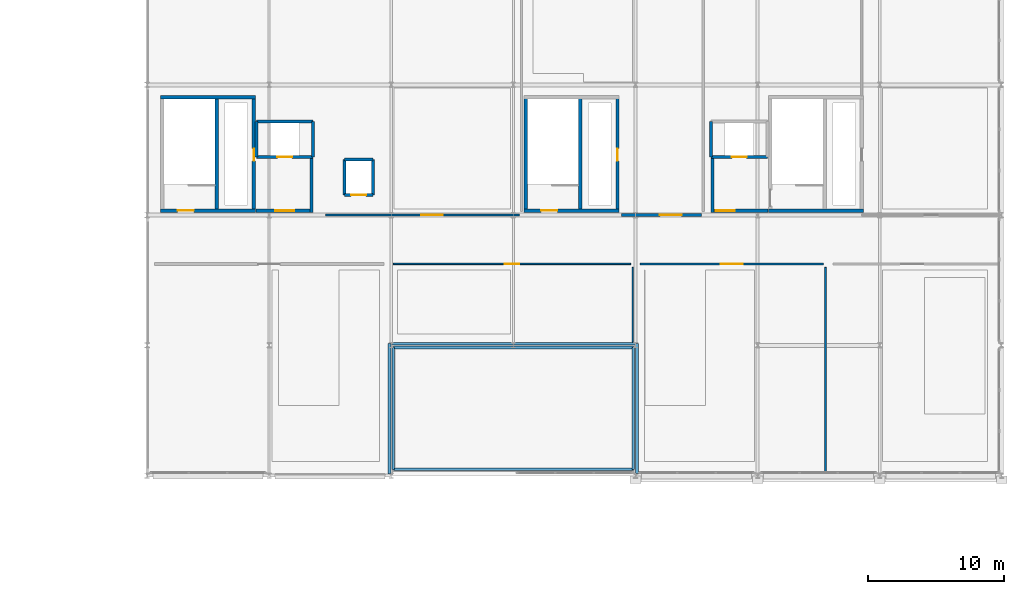
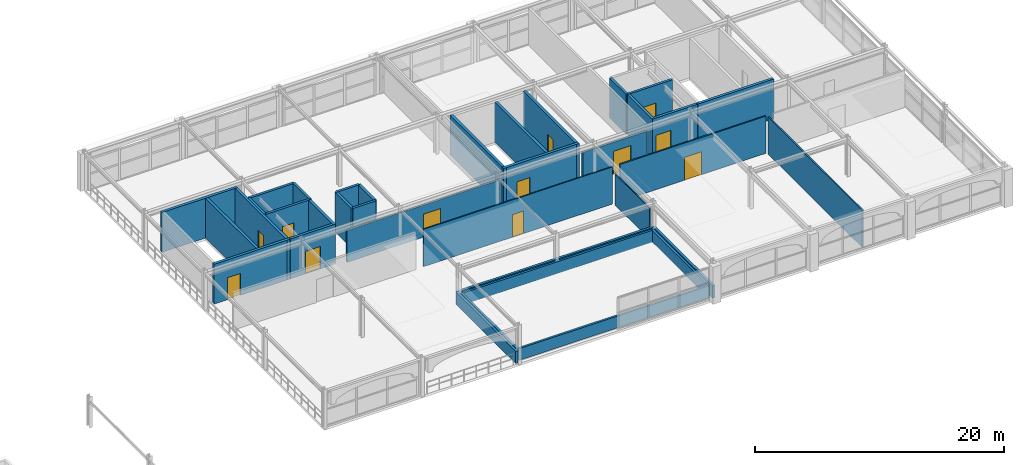
# One storey, part 21 of 25: 36 walls, 13 doors, 13 openings.
"""IFC4 building model written with IfcOpenShell, lengths in metres."""

from ifc_helpers import new_model, si_unit, direction, frame, frame_2d, origin, place, context, subcontext, project, spatial, rectangle, extrude, material, layer, layer_set, type_object, element, fill, save


model = new_model("IFC4")

# Units and contexts
model_context = context("Model", 3, precision=1e-05, world=origin(), true_north=direction((0.0, 1.0)))
body_context = subcontext(model_context, "Body", "Model", "MODEL_VIEW")
ifc_project = project(units=[si_unit("LENGTHUNIT", "METRE"), si_unit("AREAUNIT", "SQUARE_METRE"), si_unit("VOLUMEUNIT", "CUBIC_METRE"), si_unit("PLANEANGLEUNIT", "RADIAN"), si_unit("MASSUNIT", "GRAM", prefix="KILO")], contexts=[model_context])

# Site, building, storey
site_placement = place(None, origin())
site = spatial("IfcSite", under=ifc_project, at=site_placement, CompositionType="ELEMENT")
building_placement = place(site_placement, origin())
building = spatial("IfcBuilding", under=site, at=building_placement, Name="Myrtia Square Station", CompositionType="ELEMENT")
storey_placement = place(building_placement, frame((0.0, 0.0, 18.89990234375)))
storey = spatial("IfcBuildingStorey", under=building, at=storey_placement, Name="L04", CompositionType="ELEMENT", Elevation=18.89990234375)

# Wall, opening, door
ifc_material_1 = material(Name="Concrete C35/45", Category="concrete")
ifc_layer_1 = layer(ifc_material_1, 0.25, Name="Concrete C35/45")
ifc_layer_set_1 = layer_set([ifc_layer_1], Name="Concrete C35/45")
wall_type_1 = type_object("IfcWallType", Name="WL-CORE-250", PredefinedType="SHEAR", material=ifc_layer_set_1)
wall_1_placement = place(storey_placement, frame((127.0, 105.925048828125, 0.0), z_axis=(0.0, 0.0, 1.0), x_axis=(1.0, 0.0, 0.0)))
wall_1 = element("IfcWall", 1, at=wall_1_placement, inside=storey, type_object=wall_type_1, Name="Core K7 shear wall L04 S", PredefinedType="SHEAR", context=body_context, shape_type="SweptSolid", body=[
    extrude(rectangle(XDim=7.0, YDim=0.25, at=frame_2d((3.5, 0.0))), origin(), (0.0, 0.0, 1.0), 3.900146484375),
])
opening_1_placement = place(wall_1_placement, frame((1.25, 0.0, 0.0)))
opening_1 = element("IfcOpeningElement", 2, at=opening_1_placement, cuts=wall_1, Name="Opening SD-122", PredefinedType="OPENING", context=body_context, shape_type="SweptSolid", body=[
    extrude(rectangle(XDim=1.199951171875, YDim=2.14990234375, at=frame_2d((0.60009765625, 1.074951171875))), frame((0.0, 0.139892578125, 0.0), z_axis=(0.0, -1.0, 0.0), x_axis=(1.0, 0.0, 0.0)), (0.0, 0.0, 1.0), 0.280029296875),
])
ifc_material_2 = material(Name="Dark bronze anodised aluminium", Category="aluminium")
door_type_1 = type_object("IfcDoorType", Name="DR-STAIR-1200x2150", OperationType="NOTDEFINED", PredefinedType="DOOR", material=ifc_material_2)
door_1_placement = place(opening_1_placement, origin())
door_1 = element("IfcDoor", 3, at=door_1_placement, inside=storey, type_object=door_type_1, Name="Protected stair fire door K7 L04", OperationType="SINGLE_SWING_RIGHT", OverallHeight=2.14990234375, OverallWidth=1.199951171875, PredefinedType="DOOR", context=body_context, shape_type="SweptSolid", body=[
    extrude(rectangle(XDim=1.199951171875, YDim=2.14990234375, at=frame_2d((0.60009765625, 1.074951171875))), frame((0.0, 0.02490234375, 0.0), z_axis=(0.0, -1.0, 0.0), x_axis=(1.0, 0.0, 0.0)), (0.0, 0.0, 1.0), 0.050048828125),
])
fill(opening_1, door_1)

# Wall
wall_2_placement = place(storey_placement, frame((127.0, 114.27490234375, 0.0), z_axis=(0.0, 0.0, 1.0), x_axis=(1.0, 0.0, 0.0)))
element("IfcWall", 4, at=wall_2_placement, inside=storey, type_object=wall_type_1, Name="Core K7 shear wall L04 N", PredefinedType="SHEAR", context=body_context, shape_type="SweptSolid", body=[
    extrude(rectangle(XDim=7.0, YDim=0.25, at=frame_2d((3.5, 0.0))), origin(), (0.0, 0.0, 1.0), 3.900146484375),
])

# Wall, opening, door
wall_3_placement = place(storey_placement, frame((133.875, 105.800048828125, 0.0), z_axis=(0.0, 0.0, 1.0), x_axis=(0.0, 1.0, 0.0)))
wall_3 = element("IfcWall", 5, at=wall_3_placement, inside=storey, type_object=wall_type_1, Name="Core K7 shear wall L04 E", PredefinedType="SHEAR", context=body_context, shape_type="SweptSolid", body=[
    extrude(rectangle(XDim=8.599853515625, YDim=0.25, at=frame_2d((4.2998046875, 0.0))), origin(), (0.0, 0.0, 1.0), 3.900146484375),
])
opening_2_placement = place(wall_3_placement, frame((3.800048828125, 0.0, 0.0)))
opening_2 = element("IfcOpeningElement", 6, at=opening_2_placement, cuts=wall_3, Name="Opening RD-123", PredefinedType="OPENING", context=body_context, shape_type="SweptSolid", body=[
    extrude(rectangle(XDim=0.89990234375, YDim=2.050048828125, at=frame_2d((0.449951171875, 1.02490234375))), frame((0.0, 0.139892578125, 0.0), z_axis=(0.0, -1.0, 0.0), x_axis=(1.0, 0.0, 0.0)), (0.0, 0.0, 1.0), 0.280029296875),
])
door_type_2 = type_object("IfcDoorType", Name="DR-RISER-900x2050", OperationType="NOTDEFINED", PredefinedType="DOOR", material=ifc_material_2)
door_2_placement = place(opening_2_placement, origin())
door_2 = element("IfcDoor", 7, at=door_2_placement, inside=storey, type_object=door_type_2, Name="Riser cupboard access door K7 L04", OperationType="SINGLE_SWING_LEFT", OverallHeight=2.050048828125, OverallWidth=0.89990234375, PredefinedType="DOOR", context=body_context, shape_type="SweptSolid", body=[
    extrude(rectangle(XDim=0.89990234375, YDim=2.050048828125, at=frame_2d((0.449951171875, 1.02490234375))), frame((0.0, 0.02490234375, 0.0), z_axis=(0.0, -1.0, 0.0), x_axis=(1.0, 0.0, 0.0)), (0.0, 0.0, 1.0), 0.050048828125),
])
fill(opening_2, door_2)

# Walls
wall_4_placement = place(storey_placement, frame((131.139892578125, 106.0, 0.0), z_axis=(0.0, 0.0, 1.0), x_axis=(0.0, 1.0, 0.0)))
element("IfcWall", 8, at=wall_4_placement, inside=storey, type_object=wall_type_1, Name="Core K7 shear wall L04 D", PredefinedType="SHEAR", context=body_context, shape_type="SweptSolid", body=[
    extrude(rectangle(XDim=8.199951171875, YDim=0.25, at=frame_2d((4.10009765625, 0.0))), origin(), (0.0, 0.0, 1.0), 3.900146484375),
])
wall_5_placement = place(storey_placement, frame((171.800048828125, 105.925048828125, 0.0), z_axis=(0.0, 0.0, 1.0), x_axis=(1.0, 0.0, 0.0)))
element("IfcWall", 9, at=wall_5_placement, inside=storey, type_object=wall_type_1, Name="Core K8 shear wall L04 S", PredefinedType="SHEAR", context=body_context, shape_type="SweptSolid", body=[
    extrude(rectangle(XDim=7.0, YDim=0.25, at=frame_2d((3.5, 0.0))), origin(), (0.0, 0.0, 1.0), 3.900146484375),
])

# Wall, opening, door
wall_6_placement = place(storey_placement, frame((153.800048828125, 105.925048828125, 0.0), z_axis=(0.0, 0.0, 1.0), x_axis=(1.0, 0.0, 0.0)))
wall_6 = element("IfcWall", 10, at=wall_6_placement, inside=storey, type_object=wall_type_1, Name="Core K15 shear wall L04 S", PredefinedType="SHEAR", context=body_context, shape_type="SweptSolid", body=[
    extrude(rectangle(XDim=7.0, YDim=0.25, at=frame_2d((3.5, 0.0))), origin(), (0.0, 0.0, 1.0), 3.900146484375),
])
opening_3_placement = place(wall_6_placement, frame((1.25, 0.0, 0.0)))
opening_3 = element("IfcOpeningElement", 11, at=opening_3_placement, cuts=wall_6, Name="Opening SD-173", PredefinedType="OPENING", context=body_context, shape_type="SweptSolid", body=[
    extrude(rectangle(XDim=1.199951171875, YDim=2.14990234375, at=frame_2d((0.60009765625, 1.074951171875))), frame((0.0, 0.139892578125, 0.0), z_axis=(0.0, -1.0, 0.0), x_axis=(1.0, 0.0, 0.0)), (0.0, 0.0, 1.0), 0.280029296875),
])
door_3_placement = place(opening_3_placement, origin())
door_3 = element("IfcDoor", 12, at=door_3_placement, inside=storey, type_object=door_type_1, Name="Protected stair fire door K15 L04", OperationType="SINGLE_SWING_LEFT", OverallHeight=2.14990234375, OverallWidth=1.199951171875, PredefinedType="DOOR", context=body_context, shape_type="SweptSolid", body=[
    extrude(rectangle(XDim=1.199951171875, YDim=2.14990234375, at=frame_2d((0.60009765625, 1.074951171875))), frame((0.0, 0.02490234375, 0.0), z_axis=(0.0, -1.0, 0.0), x_axis=(1.0, 0.0, 0.0)), (0.0, 0.0, 1.0), 0.050048828125),
])
fill(opening_3, door_3)

# Wall
wall_7_placement = place(storey_placement, frame((153.925048828125, 105.800048828125, 0.0), z_axis=(0.0, 0.0, 1.0), x_axis=(0.0, 1.0, 0.0)))
element("IfcWall", 13, at=wall_7_placement, inside=storey, type_object=wall_type_1, Name="Core K15 shear wall L04 W", PredefinedType="SHEAR", context=body_context, shape_type="SweptSolid", body=[
    extrude(rectangle(XDim=8.599853515625, YDim=0.25, at=frame_2d((4.2998046875, 0.0))), origin(), (0.0, 0.0, 1.0), 3.900146484375),
])

# Wall, opening, door
wall_8_placement = place(storey_placement, frame((160.675048828125, 105.800048828125, 0.0), z_axis=(0.0, 0.0, 1.0), x_axis=(0.0, 1.0, 0.0)))
wall_8 = element("IfcWall", 14, at=wall_8_placement, inside=storey, type_object=wall_type_1, Name="Core K15 shear wall L04 E", PredefinedType="SHEAR", context=body_context, shape_type="SweptSolid", body=[
    extrude(rectangle(XDim=8.599853515625, YDim=0.25, at=frame_2d((4.2998046875, 0.0))), origin(), (0.0, 0.0, 1.0), 3.900146484375),
])
opening_4_placement = place(wall_8_placement, frame((3.800048828125, 0.0, 0.0)))
opening_4 = element("IfcOpeningElement", 15, at=opening_4_placement, cuts=wall_8, Name="Opening RD-174", PredefinedType="OPENING", context=body_context, shape_type="SweptSolid", body=[
    extrude(rectangle(XDim=0.89990234375, YDim=2.050048828125, at=frame_2d((0.449951171875, 1.02490234375))), frame((0.0, 0.139892578125, 0.0), z_axis=(0.0, -1.0, 0.0), x_axis=(1.0, 0.0, 0.0)), (0.0, 0.0, 1.0), 0.280029296875),
])
door_4_placement = place(opening_4_placement, origin())
door_4 = element("IfcDoor", 16, at=door_4_placement, inside=storey, type_object=door_type_2, Name="Riser cupboard access door K15 L04", OperationType="SINGLE_SWING_RIGHT", OverallHeight=2.050048828125, OverallWidth=0.89990234375, PredefinedType="DOOR", context=body_context, shape_type="SweptSolid", body=[
    extrude(rectangle(XDim=0.89990234375, YDim=2.050048828125, at=frame_2d((0.449951171875, 1.02490234375))), frame((0.0, 0.02490234375, 0.0), z_axis=(0.0, -1.0, 0.0), x_axis=(1.0, 0.0, 0.0)), (0.0, 0.0, 1.0), 0.050048828125),
])
fill(opening_4, door_4)

# Walls
wall_9_placement = place(storey_placement, frame((157.93994140625, 106.0, 0.0), z_axis=(0.0, 0.0, 1.0), x_axis=(0.0, 1.0, 0.0)))
element("IfcWall", 17, at=wall_9_placement, inside=storey, type_object=wall_type_1, Name="Core K15 shear wall L04 D", PredefinedType="SHEAR", context=body_context, shape_type="SweptSolid", body=[
    extrude(rectangle(XDim=8.199951171875, YDim=0.25, at=frame_2d((4.10009765625, 0.0))), origin(), (0.0, 0.0, 1.0), 3.900146484375),
])
ifc_layer_2 = layer(ifc_material_1, 0.239990234375, Name="Concrete C35/45")
ifc_layer_set_2 = layer_set([ifc_layer_2], Name="Concrete C35/45")
wall_type_2 = type_object("IfcWallType", Name="WL-FFL-240", PredefinedType="SHEAR", material=ifc_layer_set_2)
wall_10_placement = place(storey_placement, frame((138.1298828125, 105.800048828125, 0.0), z_axis=(0.0, 0.0, 1.0), x_axis=(0.0, 1.0, 0.0)))
element("IfcWall", 18, at=wall_10_placement, inside=storey, type_object=wall_type_2, Name="Firefighting lift lobby EI 120 wall K7 L04 E", PredefinedType="SHEAR", context=body_context, shape_type="SweptSolid", body=[
    extrude(rectangle(XDim=4.0, YDim=0.239990234375, at=frame_2d((2.0, 0.0))), origin(), (0.0, 0.0, 1.0), 3.900146484375),
])

# Wall, opening, door
wall_11_placement = place(storey_placement, frame((134.050048828125, 105.919921875, 0.0), z_axis=(0.0, 0.0, 1.0), x_axis=(1.0, 0.0, 0.0)))
wall_11 = element("IfcWall", 19, at=wall_11_placement, inside=storey, type_object=wall_type_2, Name="Firefighting lift lobby EI 120 wall K7 L04 S", PredefinedType="SHEAR", context=body_context, shape_type="SweptSolid", body=[
    extrude(rectangle(XDim=4.199951171875, YDim=0.239990234375, at=frame_2d((2.10009765625, 0.0))), origin(), (0.0, 0.0, 1.0), 3.900146484375),
])
opening_5_placement = place(wall_11_placement, frame((1.39990234375, 0.0, 0.0)))
opening_5 = element("IfcOpeningElement", 20, at=opening_5_placement, cuts=wall_11, Name="Opening FD-124", PredefinedType="OPENING", context=body_context, shape_type="SweptSolid", body=[
    extrude(rectangle(XDim=1.39990234375, YDim=2.199951171875, at=frame_2d((0.699951171875, 1.10009765625))), frame((0.0, 0.135009765625, 0.0), z_axis=(0.0, -1.0, 0.0), x_axis=(1.0, 0.0, 0.0)), (0.0, 0.0, 1.0), 0.27001953125),
])
door_type_3 = type_object("IfcDoorType", Name="DR-FFL-1400x2200", OperationType="NOTDEFINED", PredefinedType="DOOR", material=ifc_material_2)
door_5_placement = place(opening_5_placement, frame((1.39990234375, 0.0, 0.0), z_axis=(0.0, 0.0, 1.0), x_axis=(-1.0, 0.0, 0.0)))
door_5 = element("IfcDoor", 21, at=door_5_placement, inside=storey, type_object=door_type_3, Name="Firefighting lobby fire door K7 L04", OperationType="SINGLE_SWING_RIGHT", OverallHeight=2.199951171875, OverallWidth=1.39990234375, PredefinedType="DOOR", context=body_context, shape_type="SweptSolid", body=[
    extrude(rectangle(XDim=1.39990234375, YDim=2.199951171875, at=frame_2d((0.699951171875, 1.10009765625))), frame((0.0, 0.02490234375, 0.0), z_axis=(0.0, -1.0, 0.0), x_axis=(1.0, 0.0, 0.0)), (0.0, 0.0, 1.0), 0.050048828125),
])
fill(opening_5, door_5)

# Wall
wall_12_placement = place(storey_placement, frame((167.669921875, 105.800048828125, 0.0), z_axis=(0.0, 0.0, 1.0), x_axis=(0.0, 1.0, 0.0)))
element("IfcWall", 22, at=wall_12_placement, inside=storey, type_object=wall_type_2, Name="Firefighting lift lobby EI 120 wall K8 L04 W", PredefinedType="SHEAR", context=body_context, shape_type="SweptSolid", body=[
    extrude(rectangle(XDim=4.0, YDim=0.239990234375, at=frame_2d((2.0, 0.0))), origin(), (0.0, 0.0, 1.0), 3.900146484375),
])

# Wall, opening, door
wall_13_placement = place(storey_placement, frame((167.550048828125, 105.919921875, 0.0), z_axis=(0.0, 0.0, 1.0), x_axis=(1.0, 0.0, 0.0)))
wall_13 = element("IfcWall", 23, at=wall_13_placement, inside=storey, type_object=wall_type_2, Name="Firefighting lift lobby EI 120 wall K8 L04 S", PredefinedType="SHEAR", context=body_context, shape_type="SweptSolid", body=[
    extrude(rectangle(XDim=4.199951171875, YDim=0.239990234375, at=frame_2d((2.10009765625, 0.0))), origin(), (0.0, 0.0, 1.0), 3.900146484375),
])
opening_6_placement = place(wall_13_placement, frame((0.35009765625, 0.0, 0.0)))
opening_6 = element("IfcOpeningElement", 24, at=opening_6_placement, cuts=wall_13, Name="Opening FD-142", PredefinedType="OPENING", context=body_context, shape_type="SweptSolid", body=[
    extrude(rectangle(XDim=1.39990234375, YDim=2.199951171875, at=frame_2d((0.699951171875, 1.10009765625))), frame((0.0, 0.135009765625, 0.0), z_axis=(0.0, -1.0, 0.0), x_axis=(1.0, 0.0, 0.0)), (0.0, 0.0, 1.0), 0.27001953125),
])
door_6_placement = place(opening_6_placement, frame((1.39990234375, 0.0, 0.0), z_axis=(0.0, 0.0, 1.0), x_axis=(-1.0, 0.0, 0.0)))
door_6 = element("IfcDoor", 25, at=door_6_placement, inside=storey, type_object=door_type_3, Name="Firefighting lobby fire door K8 L04", OperationType="SINGLE_SWING_RIGHT", OverallHeight=2.199951171875, OverallWidth=1.39990234375, PredefinedType="DOOR", context=body_context, shape_type="SweptSolid", body=[
    extrude(rectangle(XDim=1.39990234375, YDim=2.199951171875, at=frame_2d((0.699951171875, 1.10009765625))), frame((0.0, 0.02490234375, 0.0), z_axis=(0.0, -1.0, 0.0), x_axis=(1.0, 0.0, 0.0)), (0.0, 0.0, 1.0), 0.050048828125),
])
fill(opening_6, door_6)

ifc_layer_3 = layer(ifc_material_1, 0.219970703125, Name="Concrete C35/45")
ifc_layer_set_3 = layer_set([ifc_layer_3], Name="Concrete C35/45")
wall_type_3 = type_object("IfcWallType", Name="WL-LIFT-220", PredefinedType="SHEAR", material=ifc_layer_set_3)
wall_14_placement = place(storey_placement, frame((140.5400390625, 107.090087890625, 0.0), z_axis=(0.0, 0.0, 1.0), x_axis=(1.0, 0.0, 0.0)))
wall_14 = element("IfcWall", 26, at=wall_14_placement, inside=storey, type_object=wall_type_3, Name="Lift shaft wall PL-08 L04 -Y", PredefinedType="SHEAR", context=body_context, shape_type="SweptSolid", body=[
    extrude(rectangle(XDim=2.119873046875, YDim=0.219970703125, at=frame_2d((1.06005859375, 0.0))), origin(), (0.0, 0.0, 1.0), 3.900146484375),
])
opening_7_placement = place(wall_14_placement, frame((0.510009765625, 0.0, 0.0)))
opening_7 = element("IfcOpeningElement", 27, at=opening_7_placement, cuts=wall_14, Name="Opening LD-PL-08", PredefinedType="OPENING", context=body_context, shape_type="SweptSolid", body=[
    extrude(rectangle(XDim=1.10009765625, YDim=2.14990234375, at=frame_2d((0.550048828125, 1.074951171875))), frame((0.0, 0.125, 0.0), z_axis=(0.0, -1.0, 0.0), x_axis=(1.0, 0.0, 0.0)), (0.0, 0.0, 1.0), 0.25),
])
door_type_4 = type_object("IfcDoorType", Name="DR-LIFT-1100x2150", OperationType="NOTDEFINED", PredefinedType="DOOR", material=ifc_material_2)
door_7_placement = place(opening_7_placement, origin())
door_7 = element("IfcDoor", 28, at=door_7_placement, inside=storey, type_object=door_type_4, Name="Lift landing door PL-08 L04", OperationType="SLIDING_TO_LEFT", OverallHeight=2.14990234375, OverallWidth=1.10009765625, PredefinedType="DOOR", context=body_context, shape_type="SweptSolid", body=[
    extrude(rectangle(XDim=1.10009765625, YDim=2.14990234375, at=frame_2d((0.550048828125, 1.074951171875))), frame((0.0, 0.02490234375, 0.0), z_axis=(0.0, -1.0, 0.0), x_axis=(1.0, 0.0, 0.0)), (0.0, 0.0, 1.0), 0.050048828125),
])
fill(opening_7, door_7)

# Walls
wall_15_placement = place(storey_placement, frame((140.5400390625, 109.7099609375, 0.0), z_axis=(0.0, 0.0, 1.0), x_axis=(1.0, 0.0, 0.0)))
element("IfcWall", 29, at=wall_15_placement, inside=storey, type_object=wall_type_3, Name="Lift shaft wall PL-08 L04 +Y", PredefinedType="SHEAR", context=body_context, shape_type="SweptSolid", body=[
    extrude(rectangle(XDim=2.119873046875, YDim=0.219970703125, at=frame_2d((1.06005859375, 0.0))), origin(), (0.0, 0.0, 1.0), 3.900146484375),
])
for number, where, z_axis, x_axis, name in (
    (30, (140.5400390625, 107.090087890625, 0.0), (0.0, 0.0, 1.0), (0.0, 1.0, 0.0), "Lift shaft wall PL-08 L04 -X"),
    (31, (142.659912109375, 107.090087890625, 0.0), (0.0, 0.0, 1.0), (0.0, 1.0, 0.0), "Lift shaft wall PL-08 L04 +X"),
):
    element("IfcWall", number, at=place(storey_placement, frame(where, z_axis=z_axis, x_axis=x_axis)), inside=storey, type_object=wall_type_3, Name=name, PredefinedType="SHEAR", context=body_context, shape_type="SweptSolid", body=[
        extrude(rectangle(XDim=2.619873046875, YDim=0.219970703125, at=frame_2d((1.31005859375, 0.0))), origin(), (0.0, 0.0, 1.0), 3.900146484375),
    ])

# Wall, opening, door
wall_16_placement = place(storey_placement, frame((134.070068359375, 109.8798828125, 0.0), z_axis=(0.0, 0.0, 1.0), x_axis=(1.0, 0.0, 0.0)))
wall_16 = element("IfcWall", 32, at=wall_16_placement, inside=storey, type_object=wall_type_3, Name="Lift shaft wall FFL-03 L04 -Y", PredefinedType="SHEAR", context=body_context, shape_type="SweptSolid", body=[
    extrude(rectangle(XDim=4.159912109375, YDim=0.219970703125, at=frame_2d((2.080078125, 0.0))), origin(), (0.0, 0.0, 1.0), 3.900146484375),
])
opening_8_placement = place(wall_16_placement, frame((1.530029296875, 0.0, 0.0)))
opening_8 = element("IfcOpeningElement", 33, at=opening_8_placement, cuts=wall_16, Name="Opening LD-FFL-03", PredefinedType="OPENING", context=body_context, shape_type="SweptSolid", body=[
    extrude(rectangle(XDim=1.10009765625, YDim=2.14990234375, at=frame_2d((0.550048828125, 1.074951171875))), frame((0.0, 0.125, 0.0), z_axis=(0.0, -1.0, 0.0), x_axis=(1.0, 0.0, 0.0)), (0.0, 0.0, 1.0), 0.25),
])
door_8_placement = place(opening_8_placement, origin())
door_8 = element("IfcDoor", 34, at=door_8_placement, inside=storey, type_object=door_type_4, Name="Lift landing door FFL-03 L04", OperationType="SLIDING_TO_LEFT", OverallHeight=2.14990234375, OverallWidth=1.10009765625, PredefinedType="DOOR", context=body_context, shape_type="SweptSolid", body=[
    extrude(rectangle(XDim=1.10009765625, YDim=2.14990234375, at=frame_2d((0.550048828125, 1.074951171875))), frame((0.0, 0.02490234375, 0.0), z_axis=(0.0, -1.0, 0.0), x_axis=(1.0, 0.0, 0.0)), (0.0, 0.0, 1.0), 0.050048828125),
])
fill(opening_8, door_8)

# Walls
wall_17_placement = place(storey_placement, frame((134.070068359375, 112.5, 0.0), z_axis=(0.0, 0.0, 1.0), x_axis=(1.0, 0.0, 0.0)))
element("IfcWall", 35, at=wall_17_placement, inside=storey, type_object=wall_type_3, Name="Lift shaft wall FFL-03 L04 +Y", PredefinedType="SHEAR", context=body_context, shape_type="SweptSolid", body=[
    extrude(rectangle(XDim=4.159912109375, YDim=0.219970703125, at=frame_2d((2.080078125, 0.0))), origin(), (0.0, 0.0, 1.0), 3.900146484375),
])
for number, where, z_axis, x_axis, name in (
    (36, (134.070068359375, 109.8798828125, 0.0), (0.0, 0.0, 1.0), (0.0, 1.0, 0.0), "Lift shaft wall FFL-03 L04 -X"),
    (37, (138.22998046875, 109.8798828125, 0.0), (0.0, 0.0, 1.0), (0.0, 1.0, 0.0), "Lift shaft wall FFL-03 L04 +X"),
):
    element("IfcWall", number, at=place(storey_placement, frame(where, z_axis=z_axis, x_axis=x_axis)), inside=storey, type_object=wall_type_3, Name=name, PredefinedType="SHEAR", context=body_context, shape_type="SweptSolid", body=[
        extrude(rectangle(XDim=2.6201171875, YDim=0.219970703125, at=frame_2d((1.31005859375, 0.0))), origin(), (0.0, 0.0, 1.0), 3.900146484375),
    ])

# Wall, opening, door
wall_18_placement = place(storey_placement, frame((167.570068359375, 109.8798828125, 0.0), z_axis=(0.0, 0.0, 1.0), x_axis=(1.0, 0.0, 0.0)))
wall_18 = element("IfcWall", 38, at=wall_18_placement, inside=storey, type_object=wall_type_3, Name="Lift shaft wall FFL-04 L04 -Y", PredefinedType="SHEAR", context=body_context, shape_type="SweptSolid", body=[
    extrude(rectangle(XDim=4.159912109375, YDim=0.219970703125, at=frame_2d((2.080078125, 0.0))), origin(), (0.0, 0.0, 1.0), 3.900146484375),
])
opening_9_placement = place(wall_18_placement, frame((1.530029296875, 0.0, 0.0)))
opening_9 = element("IfcOpeningElement", 39, at=opening_9_placement, cuts=wall_18, Name="Opening LD-FFL-04", PredefinedType="OPENING", context=body_context, shape_type="SweptSolid", body=[
    extrude(rectangle(XDim=1.10009765625, YDim=2.14990234375, at=frame_2d((0.550048828125, 1.074951171875))), frame((0.0, 0.125, 0.0), z_axis=(0.0, -1.0, 0.0), x_axis=(1.0, 0.0, 0.0)), (0.0, 0.0, 1.0), 0.25),
])
door_9_placement = place(opening_9_placement, origin())
door_9 = element("IfcDoor", 40, at=door_9_placement, inside=storey, type_object=door_type_4, Name="Lift landing door FFL-04 L04", OperationType="SLIDING_TO_LEFT", OverallHeight=2.14990234375, OverallWidth=1.10009765625, PredefinedType="DOOR", context=body_context, shape_type="SweptSolid", body=[
    extrude(rectangle(XDim=1.10009765625, YDim=2.14990234375, at=frame_2d((0.550048828125, 1.074951171875))), frame((0.0, 0.02490234375, 0.0), z_axis=(0.0, -1.0, 0.0), x_axis=(1.0, 0.0, 0.0)), (0.0, 0.0, 1.0), 0.050048828125),
])
fill(opening_9, door_9)

# Walls
wall_19_placement = place(storey_placement, frame((167.570068359375, 109.8798828125, 0.0), z_axis=(0.0, 0.0, 1.0), x_axis=(0.0, 1.0, 0.0)))
element("IfcWall", 41, at=wall_19_placement, inside=storey, type_object=wall_type_3, Name="Lift shaft wall FFL-04 L04 -X", PredefinedType="SHEAR", context=body_context, shape_type="SweptSolid", body=[
    extrude(rectangle(XDim=2.6201171875, YDim=0.219970703125, at=frame_2d((1.31005859375, 0.0))), origin(), (0.0, 0.0, 1.0), 3.900146484375),
])
ifc_material_3 = material(Name="Precast concrete C40/50", Category="concrete")
ifc_layer_4 = layer(ifc_material_3, 0.18994140625, Name="Precast concrete C40/50")
ifc_layer_set_4 = layer_set([ifc_layer_4], Name="Precast concrete C40/50")
wall_type_4 = type_object("IfcWallType", Name="WL-PAR-RC-190", PredefinedType="PARAPET", material=ifc_layer_set_4)
wall_20_placement = place(storey_placement, frame((144.159912109375, 86.860107421875, 0.0), z_axis=(0.0, 0.0, 1.0), x_axis=(1.0, 0.0, 0.0)))
element("IfcWall", 42, at=wall_20_placement, inside=storey, type_object=wall_type_4, Name="Spanish Mission roof parapet 041", PredefinedType="PARAPET", context=body_context, shape_type="SweptSolid", body=[
    extrude(rectangle(XDim=17.68017578125, YDim=0.18994140625, at=frame_2d((8.840087890625, 0.0))), origin(), (0.0, 0.0, 1.0), 1.150146484375),
])
wall_21_placement = place(storey_placement, frame((161.840087890625, 86.860107421875, 0.0), z_axis=(0.0, 0.0, 1.0), x_axis=(0.0, 1.0, 0.0)))
element("IfcWall", 43, at=wall_21_placement, inside=storey, type_object=wall_type_4, Name="Spanish Mission roof parapet 042", PredefinedType="PARAPET", context=body_context, shape_type="SweptSolid", body=[
    extrude(rectangle(XDim=8.97998046875, YDim=0.18994140625, at=frame_2d((4.489990234375, 0.0))), origin(), (0.0, 0.0, 1.0), 1.150146484375),
])
wall_22_placement = place(storey_placement, frame((161.840087890625, 95.840087890625, 0.0), z_axis=(0.0, 0.0, 1.0), x_axis=(-1.0, 0.0, 0.0)))
element("IfcWall", 44, at=wall_22_placement, inside=storey, type_object=wall_type_4, Name="Spanish Mission roof parapet 043", PredefinedType="PARAPET", context=body_context, shape_type="SweptSolid", body=[
    extrude(rectangle(XDim=17.68017578125, YDim=0.18994140625, at=frame_2d((8.840087890625, 0.0))), origin(), (0.0, 0.0, 1.0), 1.150146484375),
])
wall_23_placement = place(storey_placement, frame((144.159912109375, 95.840087890625, 0.0), z_axis=(0.0, 0.0, 1.0), x_axis=(0.0, -1.0, 0.0)))
element("IfcWall", 45, at=wall_23_placement, inside=storey, type_object=wall_type_4, Name="Spanish Mission roof parapet 044", PredefinedType="PARAPET", context=body_context, shape_type="SweptSolid", body=[
    extrude(rectangle(XDim=8.97998046875, YDim=0.18994140625, at=frame_2d((4.489990234375, 0.0))), origin(), (0.0, 0.0, 1.0), 1.150146484375),
])
ifc_material_4 = material(Name="Cream lime stucco on clay brick masonry", Category="masonry")
ifc_layer_5 = layer(ifc_material_4, 0.2099609375, Name="Cream lime stucco on clay brick masonry")
ifc_layer_set_5 = layer_set([ifc_layer_5], Name="Cream lime stucco on clay brick masonry")
wall_type_5 = type_object("IfcWallType", Name="WL-PAR-STUCCO-210", PredefinedType="PARAPET", material=ifc_layer_set_5)
wall_24_placement = place(storey_placement, frame((143.8798828125, 86.52001953125, 0.0), z_axis=(0.0, 0.0, 1.0), x_axis=(0.0, 1.0, 0.0)))
element("IfcWall", 46, at=wall_24_placement, inside=storey, type_object=wall_type_5, Name="Courtyard notch parapet wall 1", PredefinedType="PARAPET", context=body_context, shape_type="SweptSolid", body=[
    extrude(rectangle(XDim=9.60009765625, YDim=0.2099609375, at=frame_2d((4.800048828125, 0.0))), origin(), (0.0, 0.0, 1.0), 1.2001953125),
])
wall_25_placement = place(storey_placement, frame((143.8798828125, 96.1201171875, 0.0), z_axis=(0.0, 0.0, 1.0), x_axis=(1.0, 0.0, 0.0)))
element("IfcWall", 47, at=wall_25_placement, inside=storey, type_object=wall_type_5, Name="Courtyard notch parapet wall 2", PredefinedType="PARAPET", context=body_context, shape_type="SweptSolid", body=[
    extrude(rectangle(XDim=18.240234375, YDim=0.2099609375, at=frame_2d((9.1201171875, 0.0))), origin(), (0.0, 0.0, 1.0), 1.2001953125),
])
wall_26_placement = place(storey_placement, frame((162.1201171875, 96.1201171875, 0.0), z_axis=(0.0, 0.0, 1.0), x_axis=(0.0, -1.0, 0.0)))
element("IfcWall", 48, at=wall_26_placement, inside=storey, type_object=wall_type_5, Name="Courtyard notch parapet wall 3", PredefinedType="PARAPET", context=body_context, shape_type="SweptSolid", body=[
    extrude(rectangle(XDim=9.60009765625, YDim=0.2099609375, at=frame_2d((4.800048828125, 0.0))), origin(), (0.0, 0.0, 1.0), 1.2001953125),
])

# Wall, opening, door
ifc_material_5 = material(Name="Gypsum plasterboard")
ifc_layer_6 = layer(ifc_material_5, 0.10009765625, Name="Gypsum plasterboard")
ifc_layer_set_6 = layer_set([ifc_layer_6], Name="Gypsum plasterboard")
wall_type_6 = type_object("IfcWallType", Name="WL-PART-100", PredefinedType="PARTITIONING", material=ifc_layer_set_6)
wall_27_placement = place(storey_placement, frame((144.14990234375, 102.0, 0.0), z_axis=(0.0, 0.0, 1.0), x_axis=(1.0, 0.0, 0.0)))
wall_27 = element("IfcWall", 49, at=wall_27_placement, inside=storey, type_object=wall_type_6, Name="Interior partition wall L04-02", PredefinedType="PARTITIONING", context=body_context, shape_type="SweptSolid", body=[
    extrude(rectangle(XDim=17.5, YDim=0.10009765625, at=frame_2d((8.75, 0.0))), origin(), (0.0, 0.0, 1.0), 3.64013671875),
])
opening_10_placement = place(wall_27_placement, frame((8.22509765625, 0.0, 0.0)))
opening_10 = element("IfcOpeningElement", 50, at=opening_10_placement, cuts=wall_27, Name="Opening D-280", PredefinedType="OPENING", context=body_context, shape_type="SweptSolid", body=[
    extrude(rectangle(XDim=1.050048828125, YDim=2.199951171875, at=frame_2d((0.52490234375, 1.10009765625))), frame((0.0, 0.06494140625, 0.0), z_axis=(0.0, -1.0, 0.0), x_axis=(1.0, 0.0, 0.0)), (0.0, 0.0, 1.0), 0.130126953125),
])
ifc_material_6 = material(Name="Acoustic European oak timber", Category="wood")
door_type_5 = type_object("IfcDoorType", Name="DR-ROOM-1050x2200", OperationType="NOTDEFINED", PredefinedType="DOOR", material=ifc_material_6)
door_10_placement = place(opening_10_placement, origin())
door_10 = element("IfcDoor", 51, at=door_10_placement, inside=storey, type_object=door_type_5, Name="Network Emergency Coordination Conference Room door D-280", OperationType="SINGLE_SWING_LEFT", OverallHeight=2.199951171875, OverallWidth=1.050048828125, PredefinedType="DOOR", context=body_context, shape_type="SweptSolid", body=[
    extrude(rectangle(XDim=1.050048828125, YDim=2.199951171875, at=frame_2d((0.52490234375, 1.10009765625))), frame((0.0, 0.02490234375, 0.0), z_axis=(0.0, -1.0, 0.0), x_axis=(1.0, 0.0, 0.0)), (0.0, 0.0, 1.0), 0.050048828125),
])
fill(opening_10, door_10)

# Wall
wall_28_placement = place(storey_placement, frame((161.800048828125, 96.22998046875, 0.0), z_axis=(0.0, 0.0, 1.0), x_axis=(0.0, 1.0, 0.0)))
element("IfcWall", 52, at=wall_28_placement, inside=storey, type_object=wall_type_6, Name="Room divider partition L04-02", PredefinedType="PARTITIONING", context=body_context, shape_type="SweptSolid", body=[
    extrude(rectangle(XDim=5.52001953125, YDim=0.10009765625, at=frame_2d((2.760009765625, 0.0))), origin(), (0.0, 0.0, 1.0), 3.03515625),
])

# Wall, opening, door
ifc_layer_7 = layer(ifc_material_5, 0.125, Name="Gypsum plasterboard")
ifc_layer_set_7 = layer_set([ifc_layer_7], Name="Gypsum plasterboard")
wall_type_7 = type_object("IfcWallType", Name="WL-PART-125", PredefinedType="PARTITIONING", material=ifc_layer_set_7)
wall_29_placement = place(storey_placement, frame((162.35009765625, 102.0, 0.0), z_axis=(0.0, 0.0, 1.0), x_axis=(1.0, 0.0, 0.0)))
wall_29 = element("IfcWall", 53, at=wall_29_placement, inside=storey, type_object=wall_type_7, Name="Interior partition wall L04-03", PredefinedType="PARTITIONING", context=body_context, shape_type="SweptSolid", body=[
    extrude(rectangle(XDim=13.5, YDim=0.125, at=frame_2d((6.75, 0.0))), origin(), (0.0, 0.0, 1.0), 3.64013671875),
])
opening_11_placement = place(wall_29_placement, frame((5.949951171875, 0.0, 0.0)))
opening_11 = element("IfcOpeningElement", 54, at=opening_11_placement, cuts=wall_29, Name="Opening D-281", PredefinedType="OPENING", context=body_context, shape_type="SweptSolid", body=[
    extrude(rectangle(XDim=1.60009765625, YDim=2.25, at=frame_2d((0.800048828125, 1.125))), frame((0.0, 0.077392578125, 0.0), z_axis=(0.0, -1.0, 0.0), x_axis=(1.0, 0.0, 0.0)), (0.0, 0.0, 1.0), 0.155029296875),
])
door_type_6 = type_object("IfcDoorType", Name="DR-CORR-1600x2250", OperationType="NOTDEFINED", PredefinedType="DOOR", material=ifc_material_2)
door_11_placement = place(opening_11_placement, origin())
door_11 = element("IfcDoor", 55, at=door_11_placement, inside=storey, type_object=door_type_6, Name="Driver Signalling Simulator Suite door D-281", OperationType="DOUBLE_DOOR_SINGLE_SWING", OverallHeight=2.25, OverallWidth=1.60009765625, PredefinedType="DOOR", context=body_context, shape_type="SweptSolid", body=[
    extrude(rectangle(XDim=1.60009765625, YDim=2.25, at=frame_2d((0.800048828125, 1.125))), frame((0.0, 0.02490234375, 0.0), z_axis=(0.0, -1.0, 0.0), x_axis=(1.0, 0.0, 0.0)), (0.0, 0.0, 1.0), 0.050048828125),
])
fill(opening_11, door_11)

# Wall
wall_30_placement = place(storey_placement, frame((176.0, 86.68505859375, 0.0), z_axis=(0.0, 0.0, 1.0), x_axis=(0.0, 1.0, 0.0)))
element("IfcWall", 56, at=wall_30_placement, inside=storey, type_object=wall_type_7, Name="Room divider partition L04-03", PredefinedType="PARTITIONING", context=body_context, shape_type="SweptSolid", body=[
    extrude(rectangle(XDim=15.06494140625, YDim=0.125, at=frame_2d((7.532470703125, 0.0))), origin(), (0.0, 0.0, 1.0), 3.64013671875),
])

# Wall, opening, door
ifc_layer_8 = layer(ifc_material_4, 0.175048828125, Name="Cream lime stucco on clay brick masonry")
ifc_layer_set_8 = layer_set([ifc_layer_8], Name="Cream lime stucco on clay brick masonry")
wall_type_8 = type_object("IfcWallType", Name="WL-PART-175", PredefinedType="PARTITIONING", material=ifc_layer_set_8)
wall_31_placement = place(storey_placement, frame((139.14990234375, 105.60009765625, 0.0), z_axis=(0.0, 0.0, 1.0), x_axis=(1.0, 0.0, 0.0)))
wall_31 = element("IfcWall", 57, at=wall_31_placement, inside=storey, type_object=wall_type_8, Name="Interior partition wall L04-05", PredefinedType="PARTITIONING", context=body_context, shape_type="SweptSolid", body=[
    extrude(rectangle(XDim=14.300048828125, YDim=0.175048828125, at=frame_2d((7.14990234375, 0.0))), origin(), (0.0, 0.0, 1.0), 3.135009765625),
])
opening_12_placement = place(wall_31_placement, frame((7.050048828125, 0.0, 0.0)))
opening_12 = element("IfcOpeningElement", 58, at=opening_12_placement, cuts=wall_31, Name="Opening D-283", PredefinedType="OPENING", context=body_context, shape_type="SweptSolid", body=[
    extrude(rectangle(XDim=1.60009765625, YDim=2.25, at=frame_2d((0.800048828125, 1.125))), frame((0.0, 0.1025390625, 0.0), z_axis=(0.0, -1.0, 0.0), x_axis=(1.0, 0.0, 0.0)), (0.0, 0.0, 1.0), 0.205078125),
])
door_12_placement = place(opening_12_placement, frame((1.60009765625, 0.0, 0.0), z_axis=(0.0, 0.0, 1.0), x_axis=(-1.0, 0.0, 0.0)))
door_12 = element("IfcDoor", 59, at=door_12_placement, inside=storey, type_object=door_type_6, Name="Staff Training Classroom West door D-283", OperationType="DOUBLE_DOOR_SINGLE_SWING", OverallHeight=2.25, OverallWidth=1.60009765625, PredefinedType="DOOR", context=body_context, shape_type="SweptSolid", body=[
    extrude(rectangle(XDim=1.60009765625, YDim=2.25, at=frame_2d((0.800048828125, 1.125))), frame((0.0, 0.02490234375, 0.0), z_axis=(0.0, -1.0, 0.0), x_axis=(1.0, 0.0, 0.0)), (0.0, 0.0, 1.0), 0.050048828125),
])
fill(opening_12, door_12)

ifc_layer_9 = layer(ifc_material_4, 0.199951171875, Name="Cream lime stucco on clay brick masonry")
ifc_layer_set_9 = layer_set([ifc_layer_9], Name="Cream lime stucco on clay brick masonry")
wall_type_9 = type_object("IfcWallType", Name="WL-PART-200", PredefinedType="PARTITIONING", material=ifc_layer_set_9)
wall_32_placement = place(storey_placement, frame((160.9599609375, 105.60009765625, 0.0), z_axis=(0.0, 0.0, 1.0), x_axis=(1.0, 0.0, 0.0)))
wall_32 = element("IfcWall", 60, at=wall_32_placement, inside=storey, type_object=wall_type_9, Name="Interior partition wall L04-06", PredefinedType="PARTITIONING", context=body_context, shape_type="SweptSolid", body=[
    extrude(rectangle(XDim=5.89013671875, YDim=0.199951171875, at=frame_2d((2.945068359375, 0.0))), origin(), (0.0, 0.0, 1.0), 3.135009765625),
])
opening_13_placement = place(wall_32_placement, frame((2.844970703125, 0.0, 0.0)))
opening_13 = element("IfcOpeningElement", 61, at=opening_13_placement, cuts=wall_32, Name="Opening D-284", PredefinedType="OPENING", context=body_context, shape_type="SweptSolid", body=[
    extrude(rectangle(XDim=1.60009765625, YDim=2.25, at=frame_2d((0.800048828125, 1.125))), frame((0.0, 0.114990234375, 0.0), z_axis=(0.0, -1.0, 0.0), x_axis=(1.0, 0.0, 0.0)), (0.0, 0.0, 1.0), 0.22998046875),
])
door_13_placement = place(opening_13_placement, frame((1.60009765625, 0.0, 0.0), z_axis=(0.0, 0.0, 1.0), x_axis=(-1.0, 0.0, 0.0)))
door_13 = element("IfcDoor", 62, at=door_13_placement, inside=storey, type_object=door_type_6, Name="Technical Standards Library and Study Room door D-284", OperationType="DOUBLE_DOOR_SINGLE_SWING", OverallHeight=2.25, OverallWidth=1.60009765625, PredefinedType="DOOR", context=body_context, shape_type="SweptSolid", body=[
    extrude(rectangle(XDim=1.60009765625, YDim=2.25, at=frame_2d((0.800048828125, 1.125))), frame((0.0, 0.02490234375, 0.0), z_axis=(0.0, -1.0, 0.0), x_axis=(1.0, 0.0, 0.0)), (0.0, 0.0, 1.0), 0.050048828125),
])
fill(opening_13, door_13)

save(model, "model.ifc")
